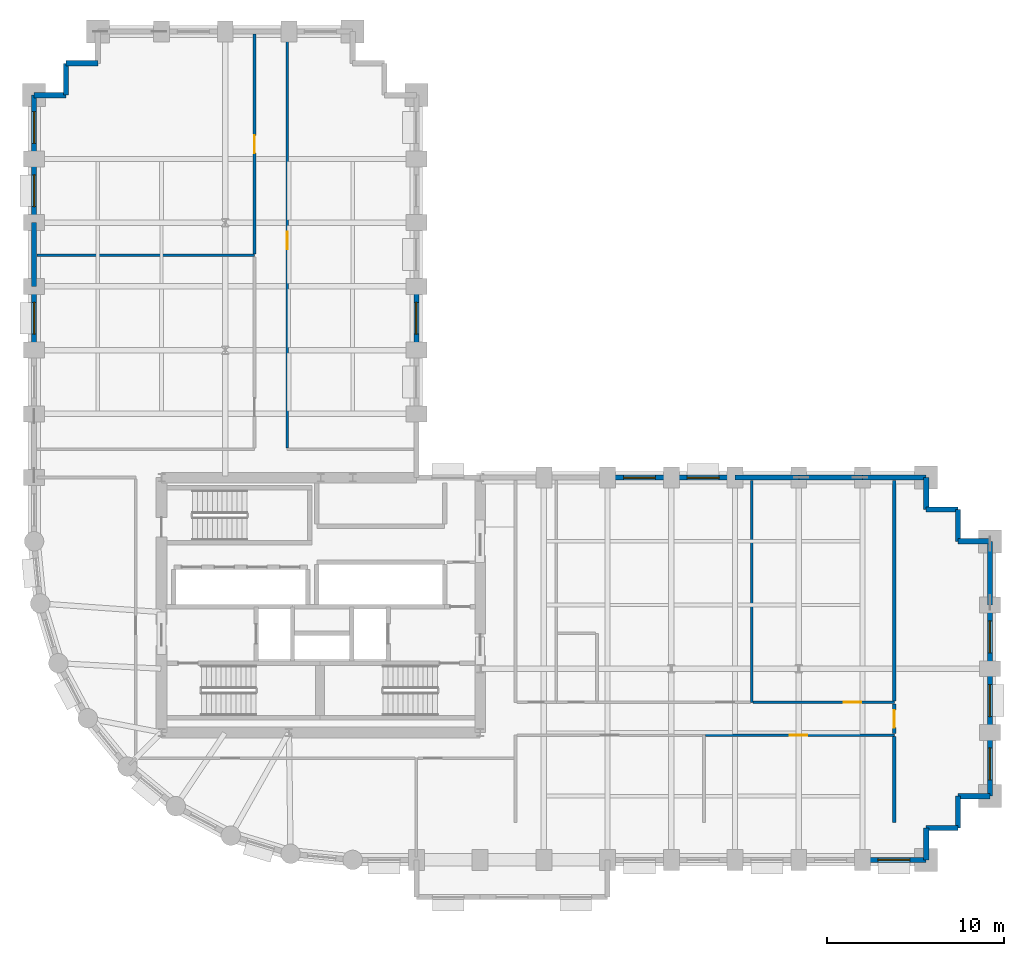
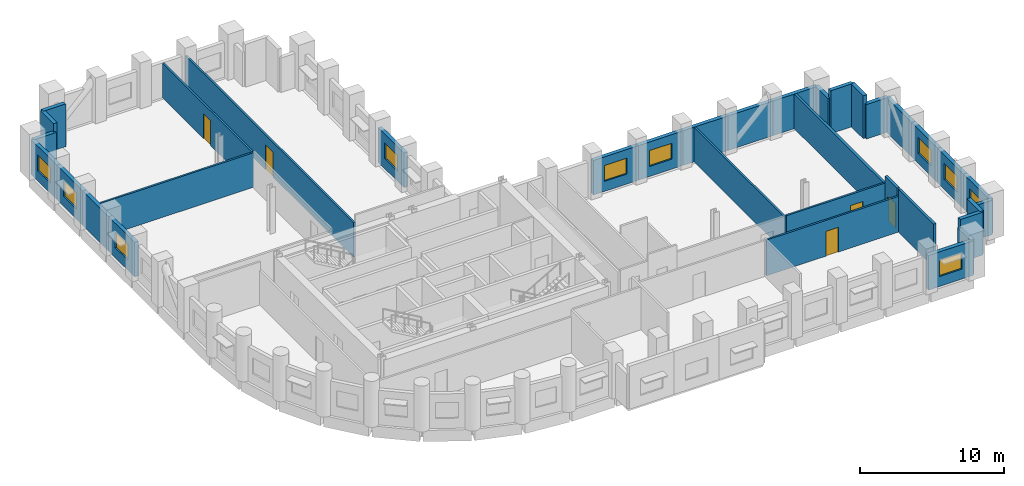
# One storey, part 8 of 12: 35 walls, 10 windows, 5 doors, 15 openings.
"""IFC4 building model written with IfcOpenShell, lengths in metres."""

from ifc_helpers import new_model, si_unit, direction, frame, frame_2d, origin, place, context, subcontext, project, spatial, rectangle, extrude, material, layer, layer_set, type_object, element, fill, save


model = new_model("IFC4")

# Units and contexts
model_context = context("Model", 3, precision=1e-05, world=origin(), true_north=direction((0.0, 1.0)))
body_context = subcontext(model_context, "Body", "Model", "MODEL_VIEW")
ifc_project = project(units=[si_unit("LENGTHUNIT", "METRE"), si_unit("AREAUNIT", "SQUARE_METRE"), si_unit("VOLUMEUNIT", "CUBIC_METRE"), si_unit("PLANEANGLEUNIT", "RADIAN"), si_unit("MASSUNIT", "GRAM", prefix="KILO")], contexts=[model_context])

# Site, building, storey
site_placement = place(None, origin())
site = spatial("IfcSite", under=ifc_project, at=site_placement, CompositionType="ELEMENT")
building_placement = place(site_placement, origin())
building = spatial("IfcBuilding", under=site, at=building_placement, Name="Solnavia Interchange Tower", CompositionType="ELEMENT")
storey_placement = place(building_placement, frame((0.0, 0.0, 31.800048828125)))
storey = spatial("IfcBuildingStorey", under=building, at=storey_placement, Name="L07", CompositionType="ELEMENT", Elevation=31.800048828125)

# Walls
ifc_material_1 = material(Name="Gypsum Acoustic Twin-Stud & Mineral Wool", Category="gypsum")
ifc_layer_1 = layer(ifc_material_1, 0.199951171875)
ifc_layer_set_1 = layer_set([ifc_layer_1], Name="Gypsum Acoustic Twin-Stud & Mineral Wool")
wall_type_1 = type_object("IfcWallType", Name="Wall-ApartmentParty-200", PredefinedType="PARTITIONING", material=ifc_layer_set_1)
wall_1_placement = place(storey_placement, frame((55.800048828125, 5.699951171875, 0.0), z_axis=(0.0, 0.0, 1.0), x_axis=(0.0, 1.0, 0.0)))
element("IfcWall", 1, at=wall_1_placement, inside=storey, type_object=wall_type_1, Name="PTW-L07-20 Interior partition wall", PredefinedType="PARTITIONING", context=body_context, shape_type="SweptSolid", body=[
    extrude(rectangle(XDim=4.87109375, YDim=0.199951171875, at=frame_2d((2.435546875, 0.0))), origin(), (0.0, 0.0, 1.0), 3.635009765625),
])
wall_2_placement = place(storey_placement, frame((55.800048828125, 12.5791015625, 0.0), z_axis=(0.0, 0.0, 1.0), x_axis=(0.0, 1.0, 0.0)))
element("IfcWall", 2, at=wall_2_placement, inside=storey, type_object=wall_type_1, Name="PTW-L07-21 Interior partition wall", PredefinedType="PARTITIONING", context=body_context, shape_type="SweptSolid", body=[
    extrude(rectangle(XDim=12.466796875, YDim=0.199951171875, at=frame_2d((6.2333984375, 0.0))), origin(), (0.0, 0.0, 1.0), 2.929931640625),
])

# Wall, opening, door
wall_3_placement = place(storey_placement, frame((55.800048828125, 10.72900390625, 0.0), z_axis=(0.0, 0.0, 1.0), x_axis=(0.0, 1.0, 0.0)))
wall_3 = element("IfcWall", 3, at=wall_3_placement, inside=storey, type_object=wall_type_1, Name="PTW-L07-22 Interior partition wall", PredefinedType="PARTITIONING", context=body_context, shape_type="SweptSolid", body=[
    extrude(rectangle(XDim=1.69189453125, YDim=0.199951171875, at=frame_2d((0.845947265625, 0.0))), origin(), (0.0, 0.0, 1.0), 3.635009765625),
])
opening_1_placement = place(wall_3_placement, frame((0.339111328125, 0.0, 0.0)))
opening_1 = element("IfcOpeningElement", 4, at=opening_1_placement, cuts=wall_3, Name="Opening DR-06", PredefinedType="OPENING", context=body_context, shape_type="SweptSolid", body=[
    extrude(rectangle(XDim=1.0, YDim=2.10009765625, at=frame_2d((0.5, 1.050048828125))), frame((0.0, 0.10986328125, 0.0), z_axis=(0.0, -1.0, 0.0), x_axis=(1.0, 0.0, 0.0)), (0.0, 0.0, 1.0), 0.219970703125),
])
ifc_material_2 = material(Name="Engineered Timber Acoustic Fire Door", Category="wood")
door_type_1 = type_object("IfcDoorType", Name="Door-FlatEntry-1000x2100", OperationType="SINGLE_SWING_LEFT", PredefinedType="DOOR", material=ifc_material_2)
door_1_placement = place(opening_1_placement, origin())
door_1 = element("IfcDoor", 5, at=door_1_placement, inside=storey, type_object=door_type_1, Name="DR-L07-10 Interior room door", OperationType="SINGLE_SWING_RIGHT", OverallHeight=2.10009765625, OverallWidth=1.0, PredefinedType="DOOR", context=body_context, shape_type="SweptSolid", body=[
    extrude(rectangle(XDim=1.0, YDim=2.10009765625, at=frame_2d((0.5, 1.050048828125))), frame((0.0, 0.02490234375, 0.0), z_axis=(0.0, -1.0, 0.0), x_axis=(1.0, 0.0, 0.0)), (0.0, 0.0, 1.0), 0.050048828125),
])
fill(opening_1, door_1)

# Wall, opening, window
ifc_material_3 = material(Name="Concrete C40/50", Category="concrete")
ifc_layer_2 = layer(ifc_material_3, 0.300048828125)
ifc_layer_set_2 = layer_set([ifc_layer_2], Name="Concrete C40/50")
wall_type_2 = type_object("IfcWallType", Name="Wall-ExtSpandrel-300", PredefinedType="STANDARD", material=ifc_layer_set_2)
wall_4_placement = place(storey_placement, frame((57.60009765625, 3.60009765625, 0.0), z_axis=(0.0, 0.0, 1.0), x_axis=(-1.0, 0.0, 0.0)))
wall_4 = element("IfcWall", 6, at=wall_4_placement, inside=storey, type_object=wall_type_2, Name="EXW-L07-11 Exterior precast spandrel wall", PredefinedType="STANDARD", context=body_context, shape_type="SweptSolid", body=[
    extrude(rectangle(XDim=3.60009765625, YDim=0.300048828125, at=frame_2d((1.800048828125, 0.0))), origin(), (0.0, 0.0, 1.0), 2.929931640625),
])
opening_2_placement = place(wall_4_placement, frame((0.925048828125, 0.0, 0.85009765625)))
opening_2 = element("IfcOpeningElement", 7, at=opening_2_placement, cuts=wall_4, Name="Opening WIN-02", PredefinedType="OPENING", context=body_context, shape_type="SweptSolid", body=[
    extrude(rectangle(XDim=1.800048828125, YDim=1.35009765625, at=frame_2d((0.89990234375, 0.675048828125))), frame((0.0, 0.16015625, 0.0), z_axis=(0.0, -1.0, 0.0), x_axis=(1.0, 0.0, 0.0)), (0.0, 0.0, 1.0), 0.320068359375),
])
ifc_material_4 = material(Name="Thermal-Break Aluminium & Low-E Glass", Category="aluminium")
window_type = type_object("IfcWindowType", Name="Window-Ribbon-1800x1350", PartitioningType="SINGLE_PANEL", PredefinedType="WINDOW", material=ifc_material_4)
window_1_placement = place(opening_2_placement, origin())
window_1 = element("IfcWindow", 8, at=window_1_placement, inside=storey, type_object=window_type, Name="WIN-L07-11 Facade ribbon window", OverallHeight=1.35009765625, OverallWidth=1.800048828125, PartitioningType="SINGLE_PANEL", PredefinedType="WINDOW", context=body_context, shape_type="SweptSolid", body=[
    extrude(rectangle(XDim=1.800048828125, YDim=1.35009765625, at=frame_2d((0.89990234375, 0.675048828125))), frame((0.0, 0.030029296875, 0.0), z_axis=(0.0, -1.0, 0.0), x_axis=(1.0, 0.0, 0.0)), (0.0, 0.0, 1.0), 0.06005859375),
])
fill(opening_2, window_1)

# Walls
wall_5_placement = place(storey_placement, frame((57.60009765625, 5.39990234375, 0.0), z_axis=(0.0, 0.0, 1.0), x_axis=(0.0, -1.0, 0.0)))
element("IfcWall", 9, at=wall_5_placement, inside=storey, type_object=wall_type_2, Name="EXW-L07-12 Exterior precast spandrel wall", PredefinedType="STANDARD", context=body_context, shape_type="SweptSolid", body=[
    extrude(rectangle(XDim=1.7998046875, YDim=0.300048828125, at=frame_2d((0.89990234375, 0.0))), origin(), (0.0, 0.0, 1.0), 2.929931640625),
])
wall_6_placement = place(storey_placement, frame((59.39990234375, 5.39990234375, 0.0), z_axis=(0.0, 0.0, 1.0), x_axis=(-1.0, 0.0, 0.0)))
element("IfcWall", 10, at=wall_6_placement, inside=storey, type_object=wall_type_2, Name="EXW-L07-13 Exterior precast spandrel wall", PredefinedType="STANDARD", context=body_context, shape_type="SweptSolid", body=[
    extrude(rectangle(XDim=1.7998046875, YDim=0.300048828125, at=frame_2d((0.89990234375, 0.0))), origin(), (0.0, 0.0, 1.0), 3.635009765625),
])
wall_7_placement = place(storey_placement, frame((59.39990234375, 7.199951171875, 0.0), z_axis=(0.0, 0.0, 1.0), x_axis=(0.0, -1.0, 0.0)))
element("IfcWall", 11, at=wall_7_placement, inside=storey, type_object=wall_type_2, Name="EXW-L07-14 Exterior precast spandrel wall", PredefinedType="STANDARD", context=body_context, shape_type="SweptSolid", body=[
    extrude(rectangle(XDim=1.800048828125, YDim=0.300048828125, at=frame_2d((0.89990234375, 0.0))), origin(), (0.0, 0.0, 1.0), 3.635009765625),
])
wall_8_placement = place(storey_placement, frame((61.199951171875, 7.199951171875, 0.0), z_axis=(0.0, 0.0, 1.0), x_axis=(-1.0, 0.0, 0.0)))
element("IfcWall", 12, at=wall_8_placement, inside=storey, type_object=wall_type_2, Name="EXW-L07-15 Exterior precast spandrel wall", PredefinedType="STANDARD", context=body_context, shape_type="SweptSolid", body=[
    extrude(rectangle(XDim=1.800048828125, YDim=0.300048828125, at=frame_2d((0.89990234375, 0.0))), origin(), (0.0, 0.0, 1.0), 2.929931640625),
])

# Wall, opening, window
wall_9_placement = place(storey_placement, frame((61.199951171875, 10.800048828125, 0.0), z_axis=(0.0, 0.0, 1.0), x_axis=(0.0, -1.0, 0.0)))
wall_9 = element("IfcWall", 13, at=wall_9_placement, inside=storey, type_object=wall_type_2, Name="EXW-L07-16 Exterior precast spandrel wall", PredefinedType="STANDARD", context=body_context, shape_type="SweptSolid", body=[
    extrude(rectangle(XDim=3.60009765625, YDim=0.300048828125, at=frame_2d((1.800048828125, 0.0))), origin(), (0.0, 0.0, 1.0), 2.929931640625),
])
opening_3_placement = place(wall_9_placement, frame((0.875, 0.0, 0.85009765625)))
opening_3 = element("IfcOpeningElement", 14, at=opening_3_placement, cuts=wall_9, Name="Opening WIN-02", PredefinedType="OPENING", context=body_context, shape_type="SweptSolid", body=[
    extrude(rectangle(XDim=1.800048828125, YDim=1.35009765625, at=frame_2d((0.89990234375, 0.675048828125))), frame((0.0, 0.16015625, 0.0), z_axis=(0.0, -1.0, 0.0), x_axis=(1.0, 0.0, 0.0)), (0.0, 0.0, 1.0), 0.320068359375),
])
window_2_placement = place(opening_3_placement, origin())
window_2 = element("IfcWindow", 15, at=window_2_placement, inside=storey, type_object=window_type, Name="WIN-L07-16 Facade ribbon window", OverallHeight=1.35009765625, OverallWidth=1.800048828125, PartitioningType="SINGLE_PANEL", PredefinedType="WINDOW", context=body_context, shape_type="SweptSolid", body=[
    extrude(rectangle(XDim=1.800048828125, YDim=1.35009765625, at=frame_2d((0.89990234375, 0.675048828125))), frame((0.0, 0.030029296875, 0.0), z_axis=(0.0, -1.0, 0.0), x_axis=(1.0, 0.0, 0.0)), (0.0, 0.0, 1.0), 0.06005859375),
])
fill(opening_3, window_2)

wall_10_placement = place(storey_placement, frame((61.199951171875, 14.39990234375, 0.0), z_axis=(0.0, 0.0, 1.0), x_axis=(0.0, -1.0, 0.0)))
wall_10 = element("IfcWall", 16, at=wall_10_placement, inside=storey, type_object=wall_type_2, Name="EXW-L07-17 Exterior precast spandrel wall", PredefinedType="STANDARD", context=body_context, shape_type="SweptSolid", body=[
    extrude(rectangle(XDim=3.599853515625, YDim=0.300048828125, at=frame_2d((1.7998046875, 0.0))), origin(), (0.0, 0.0, 1.0), 2.929931640625),
])
opening_4_placement = place(wall_10_placement, frame((0.89990234375, 0.0, 0.85009765625)))
opening_4 = element("IfcOpeningElement", 17, at=opening_4_placement, cuts=wall_10, Name="Opening WIN-02", PredefinedType="OPENING", context=body_context, shape_type="SweptSolid", body=[
    extrude(rectangle(XDim=1.800048828125, YDim=1.35009765625, at=frame_2d((0.89990234375, 0.675048828125))), frame((0.0, 0.16015625, 0.0), z_axis=(0.0, -1.0, 0.0), x_axis=(1.0, 0.0, 0.0)), (0.0, 0.0, 1.0), 0.320068359375),
])
window_3_placement = place(opening_4_placement, origin())
window_3 = element("IfcWindow", 18, at=window_3_placement, inside=storey, type_object=window_type, Name="WIN-L07-17 Facade ribbon window", OverallHeight=1.35009765625, OverallWidth=1.800048828125, PartitioningType="SINGLE_PANEL", PredefinedType="WINDOW", context=body_context, shape_type="SweptSolid", body=[
    extrude(rectangle(XDim=1.800048828125, YDim=1.35009765625, at=frame_2d((0.89990234375, 0.675048828125))), frame((0.0, 0.030029296875, 0.0), z_axis=(0.0, -1.0, 0.0), x_axis=(1.0, 0.0, 0.0)), (0.0, 0.0, 1.0), 0.06005859375),
])
fill(opening_4, window_3)

wall_11_placement = place(storey_placement, frame((61.199951171875, 18.0, 0.0), z_axis=(0.0, 0.0, 1.0), x_axis=(0.0, -1.0, 0.0)))
wall_11 = element("IfcWall", 19, at=wall_11_placement, inside=storey, type_object=wall_type_2, Name="EXW-L07-18 Exterior precast spandrel wall", PredefinedType="STANDARD", context=body_context, shape_type="SweptSolid", body=[
    extrude(rectangle(XDim=3.60009765625, YDim=0.300048828125, at=frame_2d((1.800048828125, 0.0))), origin(), (0.0, 0.0, 1.0), 2.929931640625),
])
opening_5_placement = place(wall_11_placement, frame((0.89990234375, 0.0, 0.85009765625)))
opening_5 = element("IfcOpeningElement", 20, at=opening_5_placement, cuts=wall_11, Name="Opening WIN-02", PredefinedType="OPENING", context=body_context, shape_type="SweptSolid", body=[
    extrude(rectangle(XDim=1.800048828125, YDim=1.35009765625, at=frame_2d((0.89990234375, 0.675048828125))), frame((0.0, 0.16015625, 0.0), z_axis=(0.0, -1.0, 0.0), x_axis=(1.0, 0.0, 0.0)), (0.0, 0.0, 1.0), 0.320068359375),
])
window_4_placement = place(opening_5_placement, origin())
window_4 = element("IfcWindow", 21, at=window_4_placement, inside=storey, type_object=window_type, Name="WIN-L07-18 Facade ribbon window", OverallHeight=1.35009765625, OverallWidth=1.800048828125, PartitioningType="SINGLE_PANEL", PredefinedType="WINDOW", context=body_context, shape_type="SweptSolid", body=[
    extrude(rectangle(XDim=1.800048828125, YDim=1.35009765625, at=frame_2d((0.89990234375, 0.675048828125))), frame((0.0, 0.030029296875, 0.0), z_axis=(0.0, -1.0, 0.0), x_axis=(1.0, 0.0, 0.0)), (0.0, 0.0, 1.0), 0.06005859375),
])
fill(opening_5, window_4)

# Walls
wall_12_placement = place(storey_placement, frame((61.199951171875, 21.60009765625, 0.0), z_axis=(0.0, 0.0, 1.0), x_axis=(0.0, -1.0, 0.0)))
element("IfcWall", 22, at=wall_12_placement, inside=storey, type_object=wall_type_2, Name="EXW-L07-19 Exterior precast spandrel wall", PredefinedType="STANDARD", context=body_context, shape_type="SweptSolid", body=[
    extrude(rectangle(XDim=3.60009765625, YDim=0.300048828125, at=frame_2d((1.800048828125, 0.0))), origin(), (0.0, 0.0, 1.0), 2.929931640625),
])
wall_13_placement = place(storey_placement, frame((61.199951171875, 21.60009765625, 0.0), z_axis=(0.0, 0.0, 1.0), x_axis=(-1.0, 0.0, 0.0)))
element("IfcWall", 23, at=wall_13_placement, inside=storey, type_object=wall_type_2, Name="EXW-L07-20 Exterior precast spandrel wall", PredefinedType="STANDARD", context=body_context, shape_type="SweptSolid", body=[
    extrude(rectangle(XDim=1.800048828125, YDim=0.300048828125, at=frame_2d((0.89990234375, 0.0))), origin(), (0.0, 0.0, 1.0), 2.929931640625),
])
for number, where, z_axis, x_axis, name in (
    (24, (59.39990234375, 23.39990234375, 0.0), (0.0, 0.0, 1.0), (0.0, -1.0, 0.0), "EXW-L07-21 Exterior precast spandrel wall"),
    (25, (57.60009765625, 23.39990234375, 0.0), (0.0, 0.0, 1.0), (1.0, 0.0, 0.0), "EXW-L07-22 Exterior precast spandrel wall"),
):
    element("IfcWall", number, at=place(storey_placement, frame(where, z_axis=z_axis, x_axis=x_axis)), inside=storey, type_object=wall_type_2, Name=name, PredefinedType="STANDARD", context=body_context, shape_type="SweptSolid", body=[
        extrude(rectangle(XDim=1.7998046875, YDim=0.300048828125, at=frame_2d((0.89990234375, 0.0))), origin(), (0.0, 0.0, 1.0), 3.635009765625),
    ])
wall_14_placement = place(storey_placement, frame((57.60009765625, 25.199951171875, 0.0), z_axis=(0.0, 0.0, 1.0), x_axis=(0.0, -1.0, 0.0)))
element("IfcWall", 26, at=wall_14_placement, inside=storey, type_object=wall_type_2, Name="EXW-L07-23 Exterior precast spandrel wall", PredefinedType="STANDARD", context=body_context, shape_type="SweptSolid", body=[
    extrude(rectangle(XDim=1.800048828125, YDim=0.300048828125, at=frame_2d((0.89990234375, 0.0))), origin(), (0.0, 0.0, 1.0), 2.929931640625),
])
for number, where, z_axis, x_axis, name in (
    (27, (54.0, 25.199951171875, 0.0), (0.0, 0.0, 1.0), (1.0, 0.0, 0.0), "EXW-L07-24 Exterior precast spandrel wall"),
    (28, (50.39990234375, 25.199951171875, 0.0), (0.0, 0.0, 1.0), (1.0, 0.0, 0.0), "EXW-L07-25 Exterior precast spandrel wall"),
):
    element("IfcWall", number, at=place(storey_placement, frame(where, z_axis=z_axis, x_axis=x_axis)), inside=storey, type_object=wall_type_2, Name=name, PredefinedType="STANDARD", context=body_context, shape_type="SweptSolid", body=[
        extrude(rectangle(XDim=3.60009765625, YDim=0.300048828125, at=frame_2d((1.800048828125, 0.0))), origin(), (0.0, 0.0, 1.0), 2.929931640625),
    ])
wall_15_placement = place(storey_placement, frame((46.800048828125, 25.199951171875, 0.0), z_axis=(0.0, 0.0, 1.0), x_axis=(1.0, 0.0, 0.0)))
element("IfcWall", 29, at=wall_15_placement, inside=storey, type_object=wall_type_2, Name="EXW-L07-26 Exterior precast spandrel wall", PredefinedType="STANDARD", context=body_context, shape_type="SweptSolid", body=[
    extrude(rectangle(XDim=3.599853515625, YDim=0.300048828125, at=frame_2d((1.7998046875, 0.0))), origin(), (0.0, 0.0, 1.0), 2.929931640625),
])

# Wall, opening, window
wall_16_placement = place(storey_placement, frame((43.199951171875, 25.199951171875, 0.0), z_axis=(0.0, 0.0, 1.0), x_axis=(1.0, 0.0, 0.0)))
wall_16 = element("IfcWall", 30, at=wall_16_placement, inside=storey, type_object=wall_type_2, Name="EXW-L07-27 Exterior precast spandrel wall", PredefinedType="STANDARD", context=body_context, shape_type="SweptSolid", body=[
    extrude(rectangle(XDim=3.60009765625, YDim=0.300048828125, at=frame_2d((1.800048828125, 0.0))), origin(), (0.0, 0.0, 1.0), 2.929931640625),
])
opening_6_placement = place(wall_16_placement, frame((0.89990234375, 0.0, 0.85009765625)))
opening_6 = element("IfcOpeningElement", 31, at=opening_6_placement, cuts=wall_16, Name="Opening WIN-02", PredefinedType="OPENING", context=body_context, shape_type="SweptSolid", body=[
    extrude(rectangle(XDim=1.800048828125, YDim=1.35009765625, at=frame_2d((0.89990234375, 0.675048828125))), frame((0.0, 0.16015625, 0.0), z_axis=(0.0, -1.0, 0.0), x_axis=(1.0, 0.0, 0.0)), (0.0, 0.0, 1.0), 0.320068359375),
])
window_5_placement = place(opening_6_placement, origin())
window_5 = element("IfcWindow", 32, at=window_5_placement, inside=storey, type_object=window_type, Name="WIN-L07-27 Facade ribbon window", OverallHeight=1.35009765625, OverallWidth=1.800048828125, PartitioningType="SINGLE_PANEL", PredefinedType="WINDOW", context=body_context, shape_type="SweptSolid", body=[
    extrude(rectangle(XDim=1.800048828125, YDim=1.35009765625, at=frame_2d((0.89990234375, 0.675048828125))), frame((0.0, 0.030029296875, 0.0), z_axis=(0.0, -1.0, 0.0), x_axis=(1.0, 0.0, 0.0)), (0.0, 0.0, 1.0), 0.06005859375),
])
fill(opening_6, window_5)

wall_17_placement = place(storey_placement, frame((39.60009765625, 25.199951171875, 0.0), z_axis=(0.0, 0.0, 1.0), x_axis=(1.0, 0.0, 0.0)))
wall_17 = element("IfcWall", 33, at=wall_17_placement, inside=storey, type_object=wall_type_2, Name="EXW-L07-28 Exterior precast spandrel wall", PredefinedType="STANDARD", context=body_context, shape_type="SweptSolid", body=[
    extrude(rectangle(XDim=3.599853515625, YDim=0.300048828125, at=frame_2d((1.7998046875, 0.0))), origin(), (0.0, 0.0, 1.0), 2.929931640625),
])
opening_7_placement = place(wall_17_placement, frame((0.89990234375, 0.0, 0.85009765625)))
opening_7 = element("IfcOpeningElement", 34, at=opening_7_placement, cuts=wall_17, Name="Opening WIN-02", PredefinedType="OPENING", context=body_context, shape_type="SweptSolid", body=[
    extrude(rectangle(XDim=1.800048828125, YDim=1.35009765625, at=frame_2d((0.89990234375, 0.675048828125))), frame((0.0, 0.16015625, 0.0), z_axis=(0.0, -1.0, 0.0), x_axis=(1.0, 0.0, 0.0)), (0.0, 0.0, 1.0), 0.320068359375),
])
window_6_placement = place(opening_7_placement, origin())
window_6 = element("IfcWindow", 35, at=window_6_placement, inside=storey, type_object=window_type, Name="WIN-L07-28 Facade ribbon window", OverallHeight=1.35009765625, OverallWidth=1.800048828125, PartitioningType="SINGLE_PANEL", PredefinedType="WINDOW", context=body_context, shape_type="SweptSolid", body=[
    extrude(rectangle(XDim=1.800048828125, YDim=1.35009765625, at=frame_2d((0.89990234375, 0.675048828125))), frame((0.0, 0.030029296875, 0.0), z_axis=(0.0, -1.0, 0.0), x_axis=(1.0, 0.0, 0.0)), (0.0, 0.0, 1.0), 0.06005859375),
])
fill(opening_7, window_6)

wall_18_placement = place(storey_placement, frame((28.800048828125, 32.39990234375, 0.0), z_axis=(0.0, 0.0, 1.0), x_axis=(0.0, 1.0, 0.0)))
wall_18 = element("IfcWall", 36, at=wall_18_placement, inside=storey, type_object=wall_type_2, Name="EXW-L07-34 Exterior precast spandrel wall", PredefinedType="STANDARD", context=body_context, shape_type="SweptSolid", body=[
    extrude(rectangle(XDim=3.60009765625, YDim=0.300048828125, at=frame_2d((1.800048828125, 0.0))), origin(), (0.0, 0.0, 1.0), 2.929931640625),
])
opening_8_placement = place(wall_18_placement, frame((0.89990234375, 0.0, 0.85009765625)))
opening_8 = element("IfcOpeningElement", 37, at=opening_8_placement, cuts=wall_18, Name="Opening WIN-02", PredefinedType="OPENING", context=body_context, shape_type="SweptSolid", body=[
    extrude(rectangle(XDim=1.800048828125, YDim=1.35009765625, at=frame_2d((0.89990234375, 0.675048828125))), frame((0.0, 0.16015625, 0.0), z_axis=(0.0, -1.0, 0.0), x_axis=(1.0, 0.0, 0.0)), (0.0, 0.0, 1.0), 0.320068359375),
])
window_7_placement = place(opening_8_placement, origin())
window_7 = element("IfcWindow", 38, at=window_7_placement, inside=storey, type_object=window_type, Name="WIN-L07-34 Facade ribbon window", OverallHeight=1.35009765625, OverallWidth=1.800048828125, PartitioningType="SINGLE_PANEL", PredefinedType="WINDOW", context=body_context, shape_type="SweptSolid", body=[
    extrude(rectangle(XDim=1.800048828125, YDim=1.35009765625, at=frame_2d((0.89990234375, 0.675048828125))), frame((0.0, 0.030029296875, 0.0), z_axis=(0.0, -1.0, 0.0), x_axis=(1.0, 0.0, 0.0)), (0.0, 0.0, 1.0), 0.06005859375),
])
fill(opening_8, window_7)

# Walls
for number, where, z_axis, x_axis, name in (
    (39, (9.0, 48.60009765625, 0.0), (0.0, 0.0, 1.0), (1.0, 0.0, 0.0), "EXW-L07-47 Exterior precast spandrel wall"),
    (40, (9.0, 46.800048828125, 0.0), (0.0, 0.0, 1.0), (0.0, 1.0, 0.0), "EXW-L07-48 Exterior precast spandrel wall"),
):
    element("IfcWall", number, at=place(storey_placement, frame(where, z_axis=z_axis, x_axis=x_axis)), inside=storey, type_object=wall_type_2, Name=name, PredefinedType="STANDARD", context=body_context, shape_type="SweptSolid", body=[
        extrude(rectangle(XDim=1.800048828125, YDim=0.300048828125, at=frame_2d((0.89990234375, 0.0))), origin(), (0.0, 0.0, 1.0), 3.635009765625),
    ])
wall_19_placement = place(storey_placement, frame((7.199951171875, 46.800048828125, 0.0), z_axis=(0.0, 0.0, 1.0), x_axis=(1.0, 0.0, 0.0)))
element("IfcWall", 41, at=wall_19_placement, inside=storey, type_object=wall_type_2, Name="EXW-L07-49 Exterior precast spandrel wall", PredefinedType="STANDARD", context=body_context, shape_type="SweptSolid", body=[
    extrude(rectangle(XDim=1.800048828125, YDim=0.300048828125, at=frame_2d((0.89990234375, 0.0))), origin(), (0.0, 0.0, 1.0), 2.929931640625),
])

# Wall, opening, window
wall_20_placement = place(storey_placement, frame((7.199951171875, 43.199951171875, 0.0), z_axis=(0.0, 0.0, 1.0), x_axis=(0.0, 1.0, 0.0)))
wall_20 = element("IfcWall", 42, at=wall_20_placement, inside=storey, type_object=wall_type_2, Name="EXW-L07-50 Exterior precast spandrel wall", PredefinedType="STANDARD", context=body_context, shape_type="SweptSolid", body=[
    extrude(rectangle(XDim=3.60009765625, YDim=0.300048828125, at=frame_2d((1.800048828125, 0.0))), origin(), (0.0, 0.0, 1.0), 2.929931640625),
])
opening_9_placement = place(wall_20_placement, frame((0.875, 0.0, 0.85009765625)))
opening_9 = element("IfcOpeningElement", 43, at=opening_9_placement, cuts=wall_20, Name="Opening WIN-02", PredefinedType="OPENING", context=body_context, shape_type="SweptSolid", body=[
    extrude(rectangle(XDim=1.800048828125, YDim=1.35009765625, at=frame_2d((0.89990234375, 0.675048828125))), frame((0.0, 0.16015625, 0.0), z_axis=(0.0, -1.0, 0.0), x_axis=(1.0, 0.0, 0.0)), (0.0, 0.0, 1.0), 0.320068359375),
])
window_8_placement = place(opening_9_placement, origin())
window_8 = element("IfcWindow", 44, at=window_8_placement, inside=storey, type_object=window_type, Name="WIN-L07-50 Facade ribbon window", OverallHeight=1.35009765625, OverallWidth=1.800048828125, PartitioningType="SINGLE_PANEL", PredefinedType="WINDOW", context=body_context, shape_type="SweptSolid", body=[
    extrude(rectangle(XDim=1.800048828125, YDim=1.35009765625, at=frame_2d((0.89990234375, 0.675048828125))), frame((0.0, 0.030029296875, 0.0), z_axis=(0.0, -1.0, 0.0), x_axis=(1.0, 0.0, 0.0)), (0.0, 0.0, 1.0), 0.06005859375),
])
fill(opening_9, window_8)

wall_21_placement = place(storey_placement, frame((7.199951171875, 39.60009765625, 0.0), z_axis=(0.0, 0.0, 1.0), x_axis=(0.0, 1.0, 0.0)))
wall_21 = element("IfcWall", 45, at=wall_21_placement, inside=storey, type_object=wall_type_2, Name="EXW-L07-51 Exterior precast spandrel wall", PredefinedType="STANDARD", context=body_context, shape_type="SweptSolid", body=[
    extrude(rectangle(XDim=3.599853515625, YDim=0.300048828125, at=frame_2d((1.7998046875, 0.0))), origin(), (0.0, 0.0, 1.0), 2.929931640625),
])
opening_10_placement = place(wall_21_placement, frame((0.89990234375, 0.0, 0.85009765625)))
opening_10 = element("IfcOpeningElement", 46, at=opening_10_placement, cuts=wall_21, Name="Opening WIN-02", PredefinedType="OPENING", context=body_context, shape_type="SweptSolid", body=[
    extrude(rectangle(XDim=1.800048828125, YDim=1.35009765625, at=frame_2d((0.89990234375, 0.675048828125))), frame((0.0, 0.16015625, 0.0), z_axis=(0.0, -1.0, 0.0), x_axis=(1.0, 0.0, 0.0)), (0.0, 0.0, 1.0), 0.320068359375),
])
window_9_placement = place(opening_10_placement, origin())
window_9 = element("IfcWindow", 47, at=window_9_placement, inside=storey, type_object=window_type, Name="WIN-L07-51 Facade ribbon window", OverallHeight=1.35009765625, OverallWidth=1.800048828125, PartitioningType="SINGLE_PANEL", PredefinedType="WINDOW", context=body_context, shape_type="SweptSolid", body=[
    extrude(rectangle(XDim=1.800048828125, YDim=1.35009765625, at=frame_2d((0.89990234375, 0.675048828125))), frame((0.0, 0.030029296875, 0.0), z_axis=(0.0, -1.0, 0.0), x_axis=(1.0, 0.0, 0.0)), (0.0, 0.0, 1.0), 0.06005859375),
])
fill(opening_10, window_9)

# Wall
wall_22_placement = place(storey_placement, frame((7.199951171875, 36.0, 0.0), z_axis=(0.0, 0.0, 1.0), x_axis=(0.0, 1.0, 0.0)))
element("IfcWall", 48, at=wall_22_placement, inside=storey, type_object=wall_type_2, Name="EXW-L07-52 Exterior precast spandrel wall", PredefinedType="STANDARD", context=body_context, shape_type="SweptSolid", body=[
    extrude(rectangle(XDim=3.60009765625, YDim=0.300048828125, at=frame_2d((1.800048828125, 0.0))), origin(), (0.0, 0.0, 1.0), 2.929931640625),
])

# Wall, opening, window
wall_23_placement = place(storey_placement, frame((7.199951171875, 32.39990234375, 0.0), z_axis=(0.0, 0.0, 1.0), x_axis=(0.0, 1.0, 0.0)))
wall_23 = element("IfcWall", 49, at=wall_23_placement, inside=storey, type_object=wall_type_2, Name="EXW-L07-53 Exterior precast spandrel wall", PredefinedType="STANDARD", context=body_context, shape_type="SweptSolid", body=[
    extrude(rectangle(XDim=3.60009765625, YDim=0.300048828125, at=frame_2d((1.800048828125, 0.0))), origin(), (0.0, 0.0, 1.0), 2.929931640625),
])
opening_11_placement = place(wall_23_placement, frame((0.89990234375, 0.0, 0.85009765625)))
opening_11 = element("IfcOpeningElement", 50, at=opening_11_placement, cuts=wall_23, Name="Opening WIN-02", PredefinedType="OPENING", context=body_context, shape_type="SweptSolid", body=[
    extrude(rectangle(XDim=1.800048828125, YDim=1.35009765625, at=frame_2d((0.89990234375, 0.675048828125))), frame((0.0, 0.16015625, 0.0), z_axis=(0.0, -1.0, 0.0), x_axis=(1.0, 0.0, 0.0)), (0.0, 0.0, 1.0), 0.320068359375),
])
window_10_placement = place(opening_11_placement, origin())
window_10 = element("IfcWindow", 51, at=window_10_placement, inside=storey, type_object=window_type, Name="WIN-L07-53 Facade ribbon window", OverallHeight=1.35009765625, OverallWidth=1.800048828125, PartitioningType="SINGLE_PANEL", PredefinedType="WINDOW", context=body_context, shape_type="SweptSolid", body=[
    extrude(rectangle(XDim=1.800048828125, YDim=1.35009765625, at=frame_2d((0.89990234375, 0.675048828125))), frame((0.0, 0.030029296875, 0.0), z_axis=(0.0, -1.0, 0.0), x_axis=(1.0, 0.0, 0.0)), (0.0, 0.0, 1.0), 0.06005859375),
])
fill(opening_11, window_10)

# Wall, opening, door
ifc_material_5 = material(Name="Gypsum Plasterboard & Steel Stud", Category="steel")
ifc_layer_3 = layer(ifc_material_5, 0.14990234375)
ifc_layer_set_3 = layer_set([ifc_layer_3], Name="Gypsum Plasterboard & Steel Stud")
wall_type_3 = type_object("IfcWallType", Name="Wall-Partition-150", PredefinedType="PARTITIONING", material=ifc_layer_set_3)
wall_24_placement = place(storey_placement, frame((45.12890625, 10.64990234375, 0.0), z_axis=(0.0, 0.0, 1.0), x_axis=(1.0, 0.0, 0.0)))
wall_24 = element("IfcWall", 52, at=wall_24_placement, inside=storey, type_object=wall_type_3, Name="PTW-L07-16 Interior partition wall", PredefinedType="PARTITIONING", context=body_context, shape_type="SweptSolid", body=[
    extrude(rectangle(XDim=10.671142578125, YDim=0.14990234375, at=frame_2d((5.33544921875, 0.0))), origin(), (0.0, 0.0, 1.0), 3.030029296875),
])
opening_12_placement = place(wall_24_placement, frame((4.756103515625, 0.0, 0.0)))
opening_12 = element("IfcOpeningElement", 53, at=opening_12_placement, cuts=wall_24, Name="Opening DR-07", PredefinedType="OPENING", context=body_context, shape_type="SweptSolid", body=[
    extrude(rectangle(XDim=1.0, YDim=2.10009765625, at=frame_2d((0.5, 1.050048828125))), frame((0.0, 0.0849609375, 0.0), z_axis=(0.0, -1.0, 0.0), x_axis=(1.0, 0.0, 0.0)), (0.0, 0.0, 1.0), 0.169921875),
])
ifc_material_6 = material(Name="Timber & Acoustic Glazed Office Door", Category="wood")
door_type_2 = type_object("IfcDoorType", Name="Door-Office-1000x2100", OperationType="SINGLE_SWING_RIGHT", PredefinedType="DOOR", material=ifc_material_6)
door_2_placement = place(opening_12_placement, origin())
door_2 = element("IfcDoor", 54, at=door_2_placement, inside=storey, type_object=door_type_2, Name="DR-L07-07 Interior room door", OperationType="SINGLE_SWING_RIGHT", OverallHeight=2.10009765625, OverallWidth=1.0, PredefinedType="DOOR", context=body_context, shape_type="SweptSolid", body=[
    extrude(rectangle(XDim=1.0, YDim=2.10009765625, at=frame_2d((0.5, 1.050048828125))), frame((0.0, 0.02490234375, 0.0), z_axis=(0.0, -1.0, 0.0), x_axis=(1.0, 0.0, 0.0)), (0.0, 0.0, 1.0), 0.050048828125),
])
fill(opening_12, door_2)

# Wall
wall_25_placement = place(storey_placement, frame((47.739990234375, 12.5, 0.0), z_axis=(0.0, 0.0, 1.0), x_axis=(0.0, 1.0, 0.0)))
element("IfcWall", 55, at=wall_25_placement, inside=storey, type_object=wall_type_3, Name="PTW-L07-17 Interior partition wall", PredefinedType="PARTITIONING", context=body_context, shape_type="SweptSolid", body=[
    extrude(rectangle(XDim=12.5458984375, YDim=0.14990234375, at=frame_2d((6.27294921875, 0.0))), origin(), (0.0, 0.0, 1.0), 2.929931640625),
])

# Wall, opening, door
wall_26_placement = place(storey_placement, frame((47.819091796875, 12.5, 0.0), z_axis=(0.0, 0.0, 1.0), x_axis=(1.0, 0.0, 0.0)))
wall_26 = element("IfcWall", 56, at=wall_26_placement, inside=storey, type_object=wall_type_3, Name="PTW-L07-19 Interior partition wall", PredefinedType="PARTITIONING", context=body_context, shape_type="SweptSolid", body=[
    extrude(rectangle(XDim=7.98095703125, YDim=0.14990234375, at=frame_2d((3.990478515625, 0.0))), origin(), (0.0, 0.0, 1.0), 3.0400390625),
])
opening_13_placement = place(wall_26_placement, frame((5.114990234375, 0.0, 0.0)))
opening_13 = element("IfcOpeningElement", 57, at=opening_13_placement, cuts=wall_26, Name="Opening DR-07", PredefinedType="OPENING", context=body_context, shape_type="SweptSolid", body=[
    extrude(rectangle(XDim=1.0, YDim=2.10009765625, at=frame_2d((0.5, 1.050048828125))), frame((0.0, 0.0849609375, 0.0), z_axis=(0.0, -1.0, 0.0), x_axis=(1.0, 0.0, 0.0)), (0.0, 0.0, 1.0), 0.169921875),
])
door_3_placement = place(opening_13_placement, origin())
door_3 = element("IfcDoor", 58, at=door_3_placement, inside=storey, type_object=door_type_2, Name="DR-L07-09 Interior room door", OperationType="SINGLE_SWING_RIGHT", OverallHeight=2.10009765625, OverallWidth=1.0, PredefinedType="DOOR", context=body_context, shape_type="SweptSolid", body=[
    extrude(rectangle(XDim=1.0, YDim=2.10009765625, at=frame_2d((0.5, 1.050048828125))), frame((0.0, 0.02490234375, 0.0), z_axis=(0.0, -1.0, 0.0), x_axis=(1.0, 0.0, 0.0)), (0.0, 0.0, 1.0), 0.050048828125),
])
fill(opening_13, door_3)

# Wall
wall_27_placement = place(storey_placement, frame((7.35400390625, 37.75, 0.0), z_axis=(0.0, 0.0, 1.0), x_axis=(1.0, 0.0, 0.0)))
element("IfcWall", 59, at=wall_27_placement, inside=storey, type_object=wall_type_3, Name="PTW-L07-24 Interior partition wall", PredefinedType="PARTITIONING", context=body_context, shape_type="SweptSolid", body=[
    extrude(rectangle(XDim=12.2958984375, YDim=0.14990234375, at=frame_2d((6.14794921875, 0.0))), origin(), (0.0, 0.0, 1.0), 2.929931640625),
])

# Wall, opening, door
wall_28_placement = place(storey_placement, frame((19.64990234375, 37.8291015625, 0.0), z_axis=(0.0, 0.0, 1.0), x_axis=(0.0, 1.0, 0.0)))
wall_28 = element("IfcWall", 60, at=wall_28_placement, inside=storey, type_object=wall_type_3, Name="PTW-L07-26 Interior partition wall", PredefinedType="PARTITIONING", context=body_context, shape_type="SweptSolid", body=[
    extrude(rectangle(XDim=12.4169921875, YDim=0.14990234375, at=frame_2d((6.20849609375, 0.0))), origin(), (0.0, 0.0, 1.0), 2.929931640625),
])
opening_14_placement = place(wall_28_placement, frame((5.7060546875, 0.0, 0.0)))
opening_14 = element("IfcOpeningElement", 61, at=opening_14_placement, cuts=wall_28, Name="Opening DR-07", PredefinedType="OPENING", context=body_context, shape_type="SweptSolid", body=[
    extrude(rectangle(XDim=1.0, YDim=2.10009765625, at=frame_2d((0.5, 1.050048828125))), frame((0.0, 0.0849609375, 0.0), z_axis=(0.0, -1.0, 0.0), x_axis=(1.0, 0.0, 0.0)), (0.0, 0.0, 1.0), 0.169921875),
])
door_4_placement = place(opening_14_placement, origin())
door_4 = element("IfcDoor", 62, at=door_4_placement, inside=storey, type_object=door_type_2, Name="DR-L07-12 Interior room door", OperationType="SINGLE_SWING_RIGHT", OverallHeight=2.10009765625, OverallWidth=1.0, PredefinedType="DOOR", context=body_context, shape_type="SweptSolid", body=[
    extrude(rectangle(XDim=1.0, YDim=2.10009765625, at=frame_2d((0.5, 1.050048828125))), frame((0.0, 0.02490234375, 0.0), z_axis=(0.0, -1.0, 0.0), x_axis=(1.0, 0.0, 0.0)), (0.0, 0.0, 1.0), 0.050048828125),
])
fill(opening_14, door_4)

wall_29_placement = place(storey_placement, frame((21.5, 26.87890625, 0.0), z_axis=(0.0, 0.0, 1.0), x_axis=(0.0, 1.0, 0.0)))
wall_29 = element("IfcWall", 63, at=wall_29_placement, inside=storey, type_object=wall_type_3, Name="PTW-L07-28 Interior partition wall", PredefinedType="PARTITIONING", context=body_context, shape_type="SweptSolid", body=[
    extrude(rectangle(XDim=23.3671875, YDim=0.14990234375, at=frame_2d((11.68359375, 0.0))), origin(), (0.0, 0.0, 1.0), 2.929931640625),
])
opening_15_placement = place(wall_29_placement, frame((11.220947265625, 0.0, 0.0)))
opening_15 = element("IfcOpeningElement", 64, at=opening_15_placement, cuts=wall_29, Name="Opening DR-07", PredefinedType="OPENING", context=body_context, shape_type="SweptSolid", body=[
    extrude(rectangle(XDim=1.0, YDim=2.10009765625, at=frame_2d((0.5, 1.050048828125))), frame((0.0, 0.0849609375, 0.0), z_axis=(0.0, -1.0, 0.0), x_axis=(1.0, 0.0, 0.0)), (0.0, 0.0, 1.0), 0.169921875),
])
door_5_placement = place(opening_15_placement, origin())
door_5 = element("IfcDoor", 65, at=door_5_placement, inside=storey, type_object=door_type_2, Name="DR-L07-13 Interior room door", OperationType="SINGLE_SWING_LEFT", OverallHeight=2.10009765625, OverallWidth=1.0, PredefinedType="DOOR", context=body_context, shape_type="SweptSolid", body=[
    extrude(rectangle(XDim=1.0, YDim=2.10009765625, at=frame_2d((0.5, 1.050048828125))), frame((0.0, 0.02490234375, 0.0), z_axis=(0.0, -1.0, 0.0), x_axis=(1.0, 0.0, 0.0)), (0.0, 0.0, 1.0), 0.050048828125),
])
fill(opening_15, door_5)

save(model, "model.ifc")
